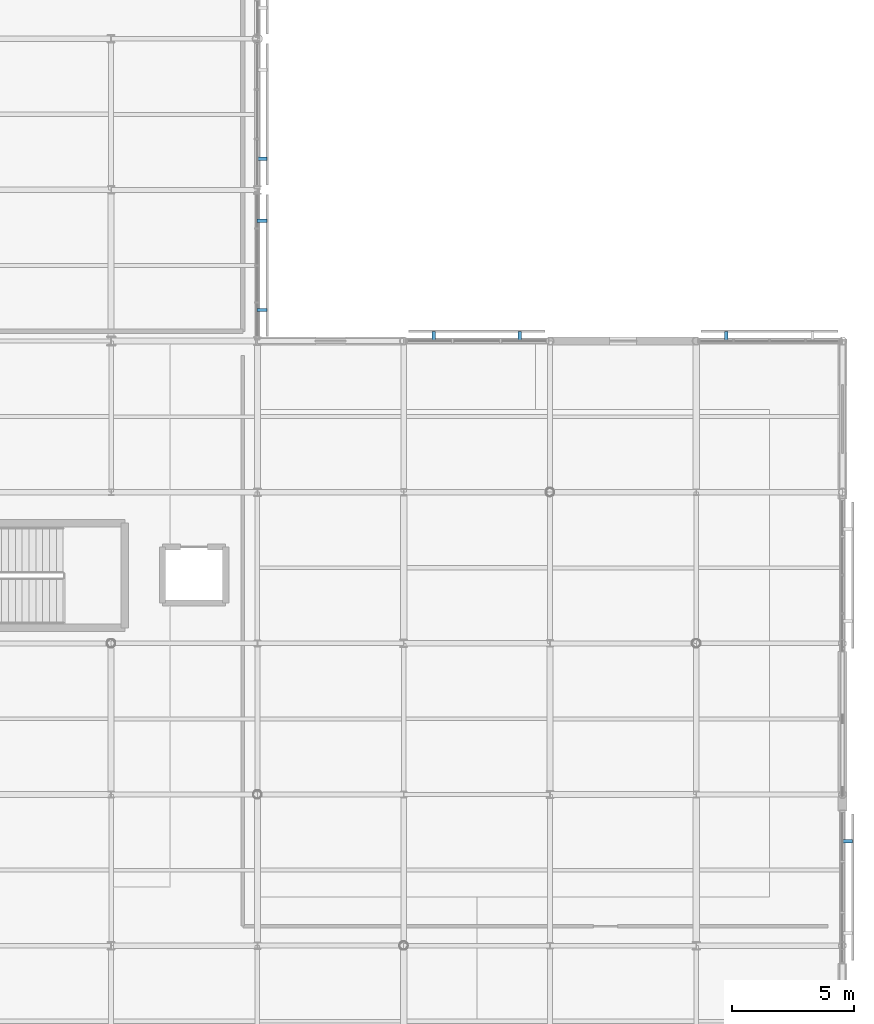
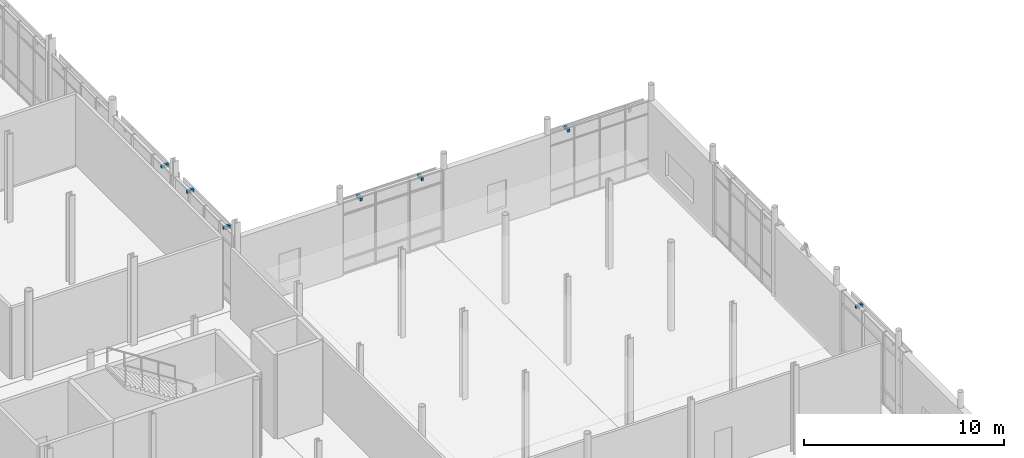
# One storey, part 88 of 105: 7 discrete accessories.
"""IFC4 building model written with IfcOpenShell, lengths in metres."""

from ifc_helpers import new_model, si_unit, direction, frame, origin, origin_2d, place, context, subcontext, project, spatial, rectangle, extrude, material, type_object, element, save


model = new_model("IFC4")

# Units and contexts
model_context = context("Model", 3, precision=1e-05, world=origin(), true_north=direction((0.0, 1.0)))
body_context = subcontext(model_context, "Body", "Model", "MODEL_VIEW")
ifc_project = project(units=[si_unit("LENGTHUNIT", "METRE"), si_unit("AREAUNIT", "SQUARE_METRE"), si_unit("VOLUMEUNIT", "CUBIC_METRE"), si_unit("PLANEANGLEUNIT", "RADIAN"), si_unit("MASSUNIT", "GRAM", prefix="KILO")], contexts=[model_context])

# Site, building, storey
site_placement = place(None, origin())
site = spatial("IfcSite", under=ifc_project, at=site_placement, CompositionType="ELEMENT")
building_placement = place(site_placement, origin())
building = spatial("IfcBuilding", under=site, at=building_placement, Name="Mirzam Square Science Centre", CompositionType="ELEMENT")
storey_placement = place(building_placement, frame((0.0, 0.0, 5.39990234375)))
storey = spatial("IfcBuildingStorey", under=building, at=storey_placement, Name="L01", CompositionType="ELEMENT", Elevation=5.39990234375)

# Discrete accessories
ifc_material = material(Name="Steel S355", Category="steel")
discrete_accessory_type = type_object("IfcDiscreteAccessoryType", Name="BRK-BRISE-STEEL", PredefinedType="BRACKET", material=ifc_material)
for number, where, z_axis, x_axis, name in (
    (1, (162.18994140625, 66.287109375, 4.10009765625), (0.0, 0.0, 1.0), (0.0, 1.0, 0.0), "L01 brise-soleil support bracket 75"),
    (2, (157.23291015625, 86.989990234375, 4.10009765625), (0.0, 0.0, 1.0), (-1.0, 0.0, 0.0), "L01 brise-soleil support bracket 77"),
    (3, (148.76708984375, 86.989990234375, 4.10009765625), (0.0, 0.0, 1.0), (-1.0, 0.0, 0.0), "L01 brise-soleil support bracket 78"),
    (4, (145.23291015625, 86.989990234375, 4.10009765625), (0.0, 0.0, 1.0), (-1.0, 0.0, 0.0), "L01 brise-soleil support bracket 78"),
    (5, (138.18994140625, 88.072998046875, 4.10009765625), (0.0, 0.0, 1.0), (0.0, 1.0, 0.0), "L01 brise-soleil support bracket 83"),
    (6, (138.18994140625, 91.72705078125, 4.10009765625), (0.0, 0.0, 1.0), (0.0, 1.0, 0.0), "L01 brise-soleil support bracket 83"),
    (7, (138.18994140625, 94.27294921875, 4.10009765625), (0.0, 0.0, 1.0), (0.0, 1.0, 0.0), "L01 brise-soleil support bracket 85"),
):
    element("IfcDiscreteAccessory", number, at=place(storey_placement, frame(where, z_axis=z_axis, x_axis=x_axis)), inside=storey, type_object=discrete_accessory_type, Name=name, PredefinedType="BRACKET", context=body_context, shape_type="SweptSolid", body=[
        extrude(rectangle(XDim=0.139892578125, YDim=0.419921875, at=origin_2d()), origin(), (0.0, 0.0, 1.0), 0.179931640625),
    ])

save(model, "model.ifc")
